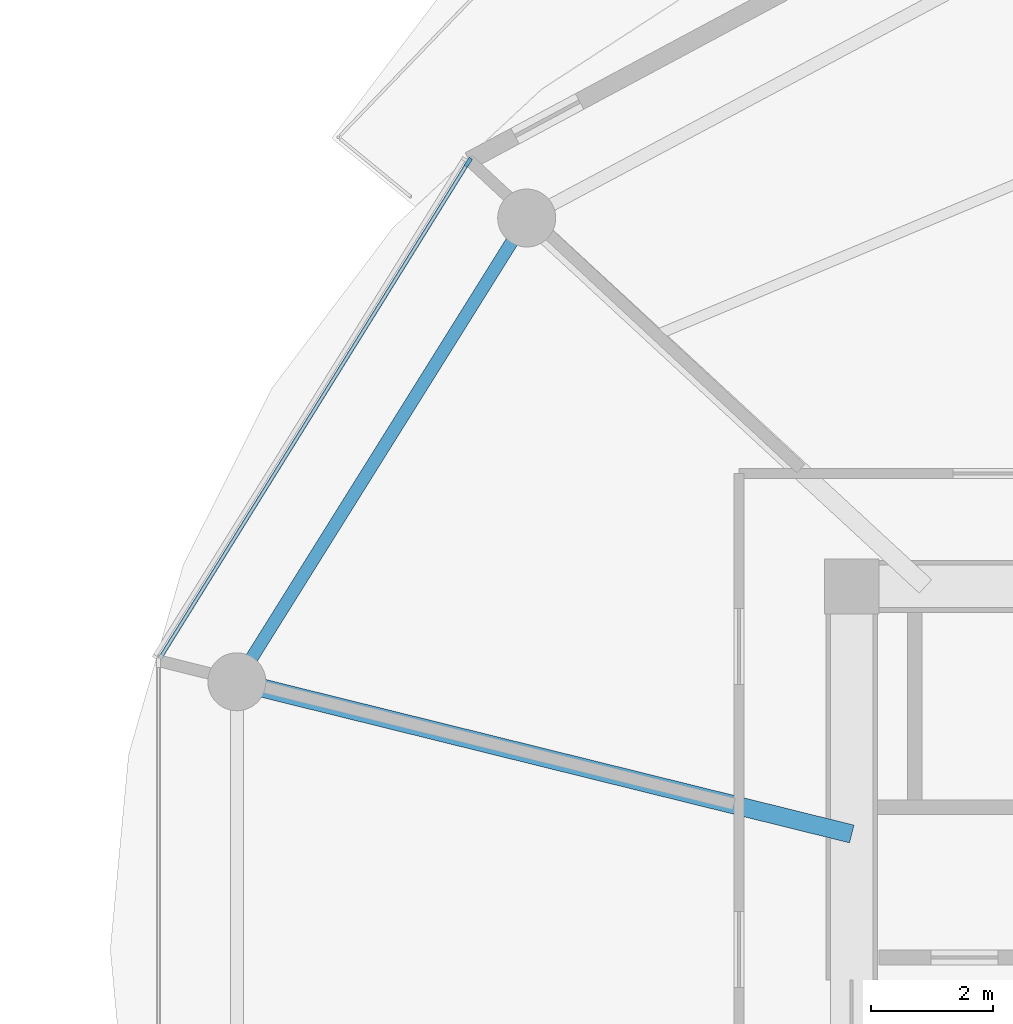
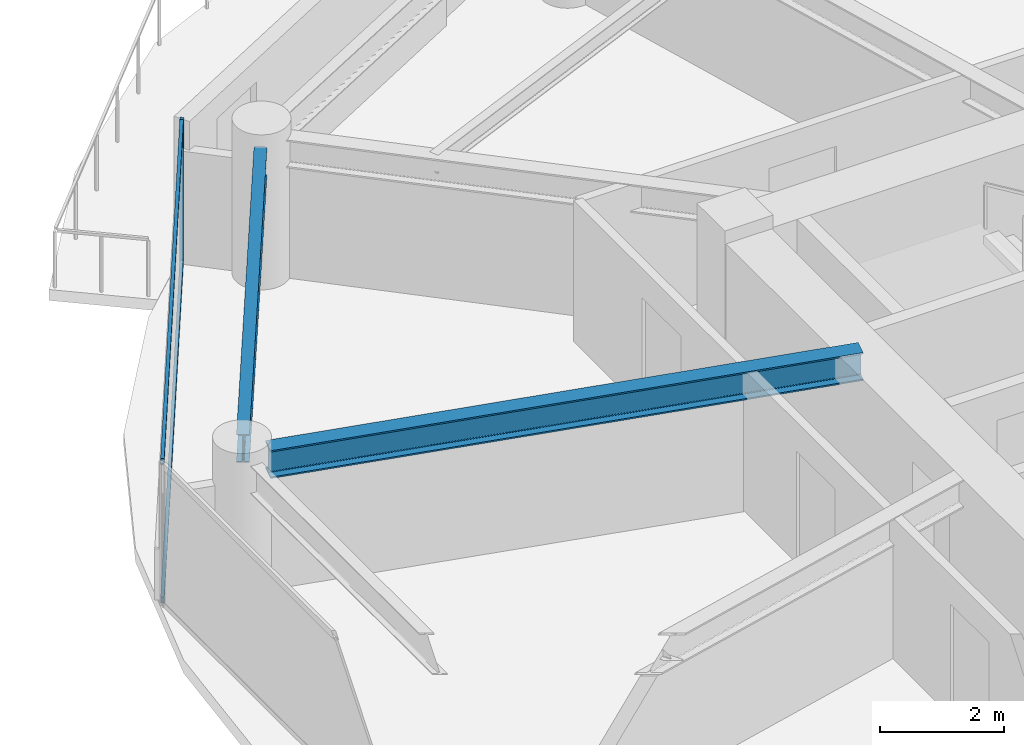
# One storey, part 8 of 26: 3 members, 2 beams, 1 element without a shape of its own.
"""IFC4 building model written with IfcOpenShell, lengths in metres."""

from ifc_helpers import new_model, si_unit, direction, frame, origin, origin_2d, place, context, subcontext, project, spatial, rectangle, i_section, extrude, source, transform, mapped, material, layer, layer_set, material_profile, profile_set, type_object, type_shapes, element, aggregate, save


model = new_model("IFC4")

# Units and contexts
model_context = context("Model", 3, precision=1e-05, world=origin(), true_north=direction((0.0, 1.0)))
body_context = subcontext(model_context, "Body", "Model", "MODEL_VIEW")
ifc_project = project(units=[si_unit("LENGTHUNIT", "METRE"), si_unit("AREAUNIT", "SQUARE_METRE"), si_unit("VOLUMEUNIT", "CUBIC_METRE"), si_unit("PLANEANGLEUNIT", "RADIAN"), si_unit("MASSUNIT", "GRAM", prefix="KILO")], contexts=[model_context])

# Site, building, storey
site_placement = place(None, origin())
site = spatial("IfcSite", under=ifc_project, at=site_placement, CompositionType="ELEMENT")
building_placement = place(site_placement, origin())
building = spatial("IfcBuilding", under=site, at=building_placement, Name="Norrkilde Senior Care Towers", CompositionType="ELEMENT")
storey_placement = place(building_placement, frame((0.0, 0.0, 49.050048828125)))
storey = spatial("IfcBuildingStorey", under=building, at=storey_placement, Name="L14", CompositionType="ELEMENT", Elevation=49.050048828125)

# Beams
ifc_material_1 = material(Name="Steel S355", Category="steel")
ifc_material_profile_1 = material_profile(ifc_material_1, i_section(OverallWidth=0.2099609375, OverallDepth=0.550048828125, WebThickness=0.010986328125, FlangeThickness=0.01708984375, FilletRadius=0.02392578125, at=origin_2d()), Name="IPE 550")
ifc_profile_set_1 = profile_set([ifc_material_profile_1], Name="Steel S355")
beam_type_1 = type_object("IfcBeamType", Name="Perimeter Ring Spandrel Z1 IPE550", PredefinedType="SPANDREL", material=ifc_profile_set_1)
shared_shape_1 = source(origin(), body_context, "Body", "SweptSolid", [
    extrude(i_section(OverallWidth=0.2099609375, OverallDepth=0.550048828125, WebThickness=0.010986328125, FlangeThickness=0.01708984375, FilletRadius=0.02392578125, at=origin_2d()), origin(), (0.0, 0.0, 1.0), 8.090576171875),
])
type_shapes(beam_type_1, [shared_shape_1])
beam_1_placement = place(storey_placement, frame((14.7939453125, 11.61669921875, 2.514892578125), z_axis=(-0.530004364821, -0.84799491347, 0.0), x_axis=(0.84799491347, -0.530004364821, 0.0)))
element("IfcBeam", 1, at=beam_1_placement, inside=storey, type_object=beam_type_1, Name="L14 Drum E Perimeter Spandrel 05", PredefinedType="SPANDREL", context=body_context, shape_type="MappedRepresentation", body=[
    mapped(shared_shape_1, transform((0.0, 0.0, 0.0), x_axis=(1.0, 0.0, 0.0), y_axis=(0.0, 1.0, 0.0), z_axis=(0.0, 0.0, 1.0), scale=1.0)),
])
ifc_material_profile_2 = material_profile(ifc_material_1, i_section(OverallWidth=0.300048828125, OverallDepth=0.550048828125, WebThickness=0.014892578125, FlangeThickness=0.029052734375, FilletRadius=0.027099609375, at=origin_2d()), Name="HEB 550")
ifc_profile_set_2 = profile_set([ifc_material_profile_2], Name="Steel S355")
beam_type_2 = type_object("IfcBeamType", Name="Radial Floor Beam Z1 HEB550", PredefinedType="BEAM", material=ifc_profile_set_2)
shared_shape_2 = source(origin(), body_context, "Body", "SweptSolid", [
    extrude(i_section(OverallWidth=0.300048828125, OverallDepth=0.550048828125, WebThickness=0.014892578125, FlangeThickness=0.029052734375, FilletRadius=0.027099609375, at=origin_2d()), origin(), (0.0, 0.0, 1.0), 9.94384765625),
])
type_shapes(beam_type_2, [shared_shape_2])
beam_2_placement = place(storey_placement, frame((20.35009765625, 1.893310546875, 2.514892578125), z_axis=(-0.970707425182, 0.240264634718, 0.0), x_axis=(-0.240264634718, -0.970707425182, 0.0)))
element("IfcBeam", 2, at=beam_2_placement, inside=storey, type_object=beam_type_2, Name="L14 Drum E Radial Floor Beam 06", PredefinedType="BEAM", context=body_context, shape_type="MappedRepresentation", body=[
    mapped(shared_shape_2, transform((0.0, 0.0, 0.0), x_axis=(1.0, 0.0, 0.0), y_axis=(0.0, 1.0, 0.0), z_axis=(0.0, 0.0, 1.0), scale=1.0)),
])

# Curtain wall, members
ifc_material_2 = material(Name="Triple Low-E Insulated Glazing", Category="glass")
ifc_layer = layer(ifc_material_2, 0.199951171875)
ifc_layer_set = layer_set([ifc_layer], Name="Triple Low-E Insulated Glazing")
curtain_wall_type = type_object("IfcCurtainWallType", Name="CW2 Zone 1 Memory Care Curtain Wall", PredefinedType="NOTDEFINED", material=ifc_layer_set)
curtain_wall_placement = place(storey_placement, origin())
curtain_wall = element("IfcCurtainWall", 3, at=curtain_wall_placement, inside=storey, type_object=curtain_wall_type, Name="L14 Drum E Curtain Wall 04", PredefinedType="NOTDEFINED")
ifc_material_3 = material(Name="Anodised Aluminium", Category="aluminium")
ifc_material_profile_3 = material_profile(ifc_material_3, rectangle(XDim=0.06494140625, YDim=0.159912109375, at=origin_2d()), Name="ALU MULL 65x160")
ifc_profile_set_3 = profile_set([ifc_material_profile_3], Name="Anodised Aluminium")
member_type_1 = type_object("IfcMemberType", Name="Curtain Wall Mullion Z1-Z2 65x160", PredefinedType="MULLION", material=ifc_profile_set_3)
shared_shape_3 = source(origin(), body_context, "Body", "SweptSolid", [
    extrude(rectangle(XDim=0.06494140625, YDim=0.159912109375, at=origin_2d()), origin(), (0.0, 0.0, 1.0), 2.7900390625),
])
type_shapes(member_type_1, [shared_shape_3])
member_1_placement = place(storey_placement, frame((14.06689453125, 12.898193359375, 0.0), z_axis=(0.0, 0.0, 1.0), x_axis=(-0.849305943117, 0.527900951871, 0.0)))
member_1 = element("IfcMember", 4, at=member_1_placement, type_object=member_type_1, Name="CW-2 mullion 2", PredefinedType="MULLION", context=body_context, shape_type="MappedRepresentation", body=[
    mapped(shared_shape_3, transform((0.0, 0.0, 0.0), x_axis=(1.0, 0.0, 0.0), y_axis=(0.0, 1.0, 0.0), z_axis=(0.0, 0.0, 1.0), scale=1.0)),
])
ifc_material_profile_4 = material_profile(ifc_material_3, rectangle(XDim=0.06005859375, YDim=0.1201171875, at=origin_2d()), Name="ALU TRAN 60x120")
ifc_profile_set_4 = profile_set([ifc_material_profile_4], Name="Anodised Aluminium")
member_type_2 = type_object("IfcMemberType", Name="Curtain Wall Transom Typical 60x120", PredefinedType="USERDEFINED", material=ifc_profile_set_4)
shared_shape_4 = source(origin(), body_context, "Body", "SweptSolid", [
    extrude(rectangle(XDim=0.06005859375, YDim=0.1201171875, at=origin_2d()), origin(), (0.0, 0.0, 1.0), 9.5185546875),
])
type_shapes(member_type_2, [shared_shape_4])
member_2_placement = place(storey_placement, frame((9.02490234375, 4.786376953125, 0.030029296875), z_axis=(0.527901620669, 0.849305527413, 0.0), x_axis=(-0.849305527413, 0.527901620669, 0.0)))
member_2 = element("IfcMember", 5, at=member_2_placement, type_object=member_type_2, Name="CW-2 transom 1.1", ObjectType="TRANSOM", PredefinedType="USERDEFINED", context=body_context, shape_type="MappedRepresentation", body=[
    mapped(shared_shape_4, transform((0.0, 0.0, 0.0), x_axis=(1.0, 0.0, 0.0), y_axis=(0.0, 1.0, 0.0), z_axis=(0.0, 0.0, 1.0), scale=1.0)),
])
member_3_placement = place(storey_placement, frame((9.02490234375, 4.786376953125, 2.760009765625), z_axis=(0.527901620669, 0.849305527413, 0.0), x_axis=(-0.849305527413, 0.527901620669, 0.0)))
member_3 = element("IfcMember", 6, at=member_3_placement, type_object=member_type_2, Name="CW-2 transom 1.2", ObjectType="TRANSOM", PredefinedType="USERDEFINED", context=body_context, shape_type="MappedRepresentation", body=[
    mapped(shared_shape_4, transform((0.0, 0.0, 0.0), x_axis=(1.0, 0.0, 0.0), y_axis=(0.0, 1.0, 0.0), z_axis=(0.0, 0.0, 1.0), scale=1.0)),
])
aggregate(curtain_wall, [member_1, member_2, member_3])

save(model, "model.ifc")
